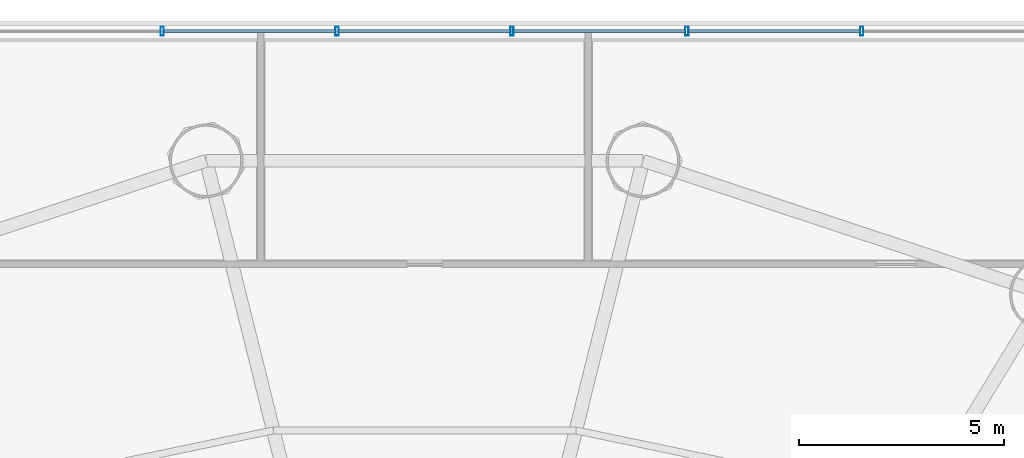
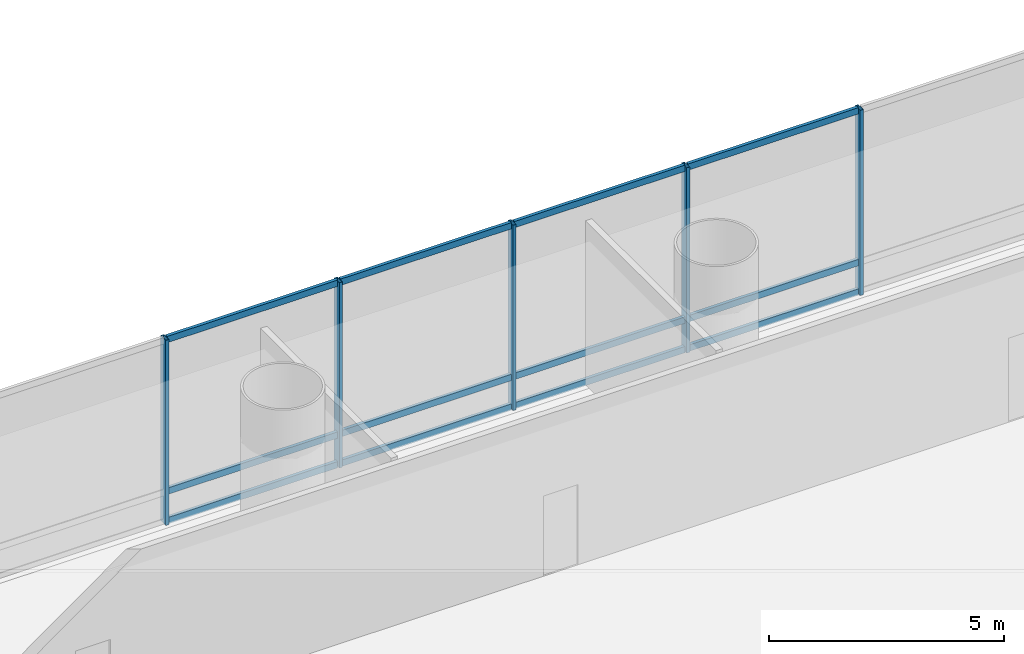
# One storey, part 14 of 31: 17 members, 1 element without a shape of its own.
"""IFC4 building model written with IfcOpenShell, lengths in metres."""

from ifc_helpers import new_model, si_unit, direction, frame, origin, origin_2d, place, context, subcontext, project, spatial, hollow_rectangle, extrude, source, transform, mapped, material, material_profile, profile_set, type_object, element, aggregate, save


model = new_model("IFC4")

# Units and contexts
model_context = context("Model", 3, precision=1e-05, world=origin(), true_north=direction((-0.2419218956, 0.970295726276)))
body_context = subcontext(model_context, "Body", "Model", "MODEL_VIEW")
ifc_project = project(units=[si_unit("LENGTHUNIT", "METRE"), si_unit("AREAUNIT", "SQUARE_METRE"), si_unit("VOLUMEUNIT", "CUBIC_METRE"), si_unit("PLANEANGLEUNIT", "RADIAN"), si_unit("MASSUNIT", "GRAM", prefix="KILO")], contexts=[model_context])

# Site, building, storey
site_placement = place(None, origin())
site = spatial("IfcSite", under=ifc_project, at=site_placement, CompositionType="ELEMENT")
building_placement = place(site_placement, origin())
building = spatial("IfcBuilding", under=site, at=building_placement, Name="Cobrevalo Terracotta Tower", CompositionType="ELEMENT")
storey_placement = place(building_placement, frame((0.0, 0.0, 18.89990234375)))
storey = spatial("IfcBuildingStorey", under=building, at=storey_placement, Name="L04", CompositionType="ELEMENT", Elevation=18.89990234375)

# Curtain wall, members
ifc_material = material(Name="Anodized aluminium", Category="aluminium")
curtain_wall_type = type_object("IfcCurtainWallType", Name="Podium gallery & conservatory curtain wall CW-S2", PredefinedType="NOTDEFINED", material=ifc_material)
curtain_wall_placement = place(storey_placement, origin())
curtain_wall = element("IfcCurtainWall", 1, at=curtain_wall_placement, inside=storey, type_object=curtain_wall_type, Name="L04 curtain wall CW-POD-L04-N", PredefinedType="NOTDEFINED")
ifc_material_profile_1 = material_profile(ifc_material, hollow_rectangle(XDim=0.080078125, YDim=0.1650390625, WallThickness=0.00439453125, at=origin_2d()), Name="CWT 80x165")
ifc_profile_set_1 = profile_set([ifc_material_profile_1], Name="Anodized aluminium")
member_type_1 = type_object("IfcMemberType", Name="Storefront & atrium aluminium transom 80x165", PredefinedType="USERDEFINED", material=ifc_profile_set_1)
shared_shape_1 = source(origin(), body_context, "Body", "SweptSolid", [
    extrude(hollow_rectangle(XDim=0.080078125, YDim=0.1650390625, WallThickness=0.00439453125, at=origin_2d()), origin(), (0.0, 0.0, 1.0), 4.193359375),
])
member_1_placement = place(storey_placement, frame((48.643310546875, 51.39990234375, 0.050048828125), z_axis=(-1.0, 0.0, 0.0), x_axis=(0.0, -1.0, 0.0)))
member_1 = element("IfcMember", 2, at=member_1_placement, type_object=member_type_1, Name="CW-POD-L04-N transom B06-T1", ObjectType="TRANSOM", PredefinedType="USERDEFINED", context=body_context, shape_type="MappedRepresentation", body=[
    mapped(shared_shape_1, transform((0.0, 0.0, 0.0), scale=1.0)),
])
member_2_placement = place(storey_placement, frame((48.643310546875, 51.39990234375, 0.820068359375), z_axis=(-1.0, 0.0, 0.0), x_axis=(0.0, -1.0, 0.0)))
member_2 = element("IfcMember", 3, at=member_2_placement, type_object=member_type_1, Name="CW-POD-L04-N transom B06-T2", ObjectType="TRANSOM", PredefinedType="USERDEFINED", context=body_context, shape_type="MappedRepresentation", body=[
    mapped(shared_shape_1, transform((0.0, 0.0, 0.0), scale=1.0)),
])
member_3_placement = place(storey_placement, frame((48.643310546875, 51.39990234375, 4.77001953125), z_axis=(-1.0, 0.0, 0.0), x_axis=(0.0, -1.0, 0.0)))
member_3 = element("IfcMember", 4, at=member_3_placement, type_object=member_type_1, Name="CW-POD-L04-N transom B06-T3", ObjectType="TRANSOM", PredefinedType="USERDEFINED", context=body_context, shape_type="MappedRepresentation", body=[
    mapped(shared_shape_1, transform((0.0, 0.0, 0.0), scale=1.0)),
])
member_4_placement = place(storey_placement, frame((44.3701171875, 51.39990234375, 0.050048828125), z_axis=(-1.0, 0.0, 0.0), x_axis=(0.0, -1.0, 0.0)))
member_4 = element("IfcMember", 5, at=member_4_placement, type_object=member_type_1, Name="CW-POD-L04-N transom B07-T1", ObjectType="TRANSOM", PredefinedType="USERDEFINED", context=body_context, shape_type="MappedRepresentation", body=[
    mapped(shared_shape_1, transform((0.0, 0.0, 0.0), scale=1.0)),
])
member_5_placement = place(storey_placement, frame((44.3701171875, 51.39990234375, 0.820068359375), z_axis=(-1.0, 0.0, 0.0), x_axis=(0.0, -1.0, 0.0)))
member_5 = element("IfcMember", 6, at=member_5_placement, type_object=member_type_1, Name="CW-POD-L04-N transom B07-T2", ObjectType="TRANSOM", PredefinedType="USERDEFINED", context=body_context, shape_type="MappedRepresentation", body=[
    mapped(shared_shape_1, transform((0.0, 0.0, 0.0), scale=1.0)),
])
member_6_placement = place(storey_placement, frame((44.3701171875, 51.39990234375, 4.77001953125), z_axis=(-1.0, 0.0, 0.0), x_axis=(0.0, -1.0, 0.0)))
member_6 = element("IfcMember", 7, at=member_6_placement, type_object=member_type_1, Name="CW-POD-L04-N transom B07-T3", ObjectType="TRANSOM", PredefinedType="USERDEFINED", context=body_context, shape_type="MappedRepresentation", body=[
    mapped(shared_shape_1, transform((0.0, 0.0, 0.0), scale=1.0)),
])
member_7_placement = place(storey_placement, frame((40.0966796875, 51.39990234375, 0.050048828125), z_axis=(-1.0, 0.0, 0.0), x_axis=(0.0, -1.0, 0.0)))
member_7 = element("IfcMember", 8, at=member_7_placement, type_object=member_type_1, Name="CW-POD-L04-N transom B08-T1", ObjectType="TRANSOM", PredefinedType="USERDEFINED", context=body_context, shape_type="MappedRepresentation", body=[
    mapped(shared_shape_1, transform((0.0, 0.0, 0.0), scale=1.0)),
])
member_8_placement = place(storey_placement, frame((40.0966796875, 51.39990234375, 0.820068359375), z_axis=(-1.0, 0.0, 0.0), x_axis=(0.0, -1.0, 0.0)))
member_8 = element("IfcMember", 9, at=member_8_placement, type_object=member_type_1, Name="CW-POD-L04-N transom B08-T2", ObjectType="TRANSOM", PredefinedType="USERDEFINED", context=body_context, shape_type="MappedRepresentation", body=[
    mapped(shared_shape_1, transform((0.0, 0.0, 0.0), scale=1.0)),
])
member_9_placement = place(storey_placement, frame((40.0966796875, 51.39990234375, 4.77001953125), z_axis=(-1.0, 0.0, 0.0), x_axis=(0.0, -1.0, 0.0)))
member_9 = element("IfcMember", 10, at=member_9_placement, type_object=member_type_1, Name="CW-POD-L04-N transom B08-T3", ObjectType="TRANSOM", PredefinedType="USERDEFINED", context=body_context, shape_type="MappedRepresentation", body=[
    mapped(shared_shape_1, transform((0.0, 0.0, 0.0), scale=1.0)),
])
member_10_placement = place(storey_placement, frame((35.8232421875, 51.39990234375, 0.050048828125), z_axis=(-1.0, 0.0, 0.0), x_axis=(0.0, -1.0, 0.0)))
member_10 = element("IfcMember", 11, at=member_10_placement, type_object=member_type_1, Name="CW-POD-L04-N transom B09-T1", ObjectType="TRANSOM", PredefinedType="USERDEFINED", context=body_context, shape_type="MappedRepresentation", body=[
    mapped(shared_shape_1, transform((0.0, 0.0, 0.0), scale=1.0)),
])
member_11_placement = place(storey_placement, frame((35.8232421875, 51.39990234375, 0.820068359375), z_axis=(-1.0, 0.0, 0.0), x_axis=(0.0, -1.0, 0.0)))
member_11 = element("IfcMember", 12, at=member_11_placement, type_object=member_type_1, Name="CW-POD-L04-N transom B09-T2", ObjectType="TRANSOM", PredefinedType="USERDEFINED", context=body_context, shape_type="MappedRepresentation", body=[
    mapped(shared_shape_1, transform((0.0, 0.0, 0.0), scale=1.0)),
])
member_12_placement = place(storey_placement, frame((35.8232421875, 51.39990234375, 4.77001953125), z_axis=(-1.0, 0.0, 0.0), x_axis=(0.0, -1.0, 0.0)))
member_12 = element("IfcMember", 13, at=member_12_placement, type_object=member_type_1, Name="CW-POD-L04-N transom B09-T3", ObjectType="TRANSOM", PredefinedType="USERDEFINED", context=body_context, shape_type="MappedRepresentation", body=[
    mapped(shared_shape_1, transform((0.0, 0.0, 0.0), scale=1.0)),
])
ifc_material_profile_2 = material_profile(ifc_material, hollow_rectangle(XDim=0.080078125, YDim=0.219970703125, WallThickness=0.0048828125, at=origin_2d()), Name="CWM 80x220")
ifc_profile_set_2 = profile_set([ifc_material_profile_2], Name="Anodized aluminium")
member_type_2 = type_object("IfcMemberType", Name="Storefront & atrium aluminium mullion 80x220", PredefinedType="MULLION", material=ifc_profile_set_2)
shared_shape_2 = source(origin(), body_context, "Body", "SweptSolid", [
    extrude(hollow_rectangle(XDim=0.080078125, YDim=0.219970703125, WallThickness=0.0048828125, at=origin_2d()), origin(), (0.0, 0.0, 1.0), 4.820068359375),
])
member_13_placement = place(storey_placement, frame((48.683349609375, 51.39990234375, 0.0), z_axis=(0.0, 0.0, 1.0), x_axis=(-1.0, 0.0, 0.0)))
member_13 = element("IfcMember", 14, at=member_13_placement, type_object=member_type_2, Name="CW-POD-L04-N vertical mullion 06", PredefinedType="MULLION", context=body_context, shape_type="MappedRepresentation", body=[
    mapped(shared_shape_2, transform((0.0, 0.0, 0.0), scale=1.0)),
])
member_14_placement = place(storey_placement, frame((44.409912109375, 51.39990234375, 0.0), z_axis=(0.0, 0.0, 1.0), x_axis=(-1.0, 0.0, 0.0)))
member_14 = element("IfcMember", 15, at=member_14_placement, type_object=member_type_2, Name="CW-POD-L04-N vertical mullion 07", PredefinedType="MULLION", context=body_context, shape_type="MappedRepresentation", body=[
    mapped(shared_shape_2, transform((0.0, 0.0, 0.0), scale=1.0)),
])
member_15_placement = place(storey_placement, frame((40.13671875, 51.39990234375, 0.0), z_axis=(0.0, 0.0, 1.0), x_axis=(-1.0, 0.0, 0.0)))
member_15 = element("IfcMember", 16, at=member_15_placement, type_object=member_type_2, Name="CW-POD-L04-N vertical mullion 08", PredefinedType="MULLION", context=body_context, shape_type="MappedRepresentation", body=[
    mapped(shared_shape_2, transform((0.0, 0.0, 0.0), scale=1.0)),
])
member_16_placement = place(storey_placement, frame((35.86328125, 51.39990234375, 0.0), z_axis=(0.0, 0.0, 1.0), x_axis=(-1.0, 0.0, 0.0)))
member_16 = element("IfcMember", 17, at=member_16_placement, type_object=member_type_2, Name="CW-POD-L04-N vertical mullion 09", PredefinedType="MULLION", context=body_context, shape_type="MappedRepresentation", body=[
    mapped(shared_shape_2, transform((0.0, 0.0, 0.0), scale=1.0)),
])
member_17_placement = place(storey_placement, frame((31.590087890625, 51.39990234375, 0.0), z_axis=(0.0, 0.0, 1.0), x_axis=(-1.0, 0.0, 0.0)))
member_17 = element("IfcMember", 18, at=member_17_placement, type_object=member_type_2, Name="CW-POD-L04-N vertical mullion 10", PredefinedType="MULLION", context=body_context, shape_type="MappedRepresentation", body=[
    mapped(shared_shape_2, transform((0.0, 0.0, 0.0), scale=1.0)),
])
aggregate(curtain_wall, [member_13, member_14, member_15, member_16, member_17, member_1, member_2, member_3, member_4, member_5, member_6, member_7, member_8, member_9, member_10, member_11, member_12])

save(model, "model.ifc")
